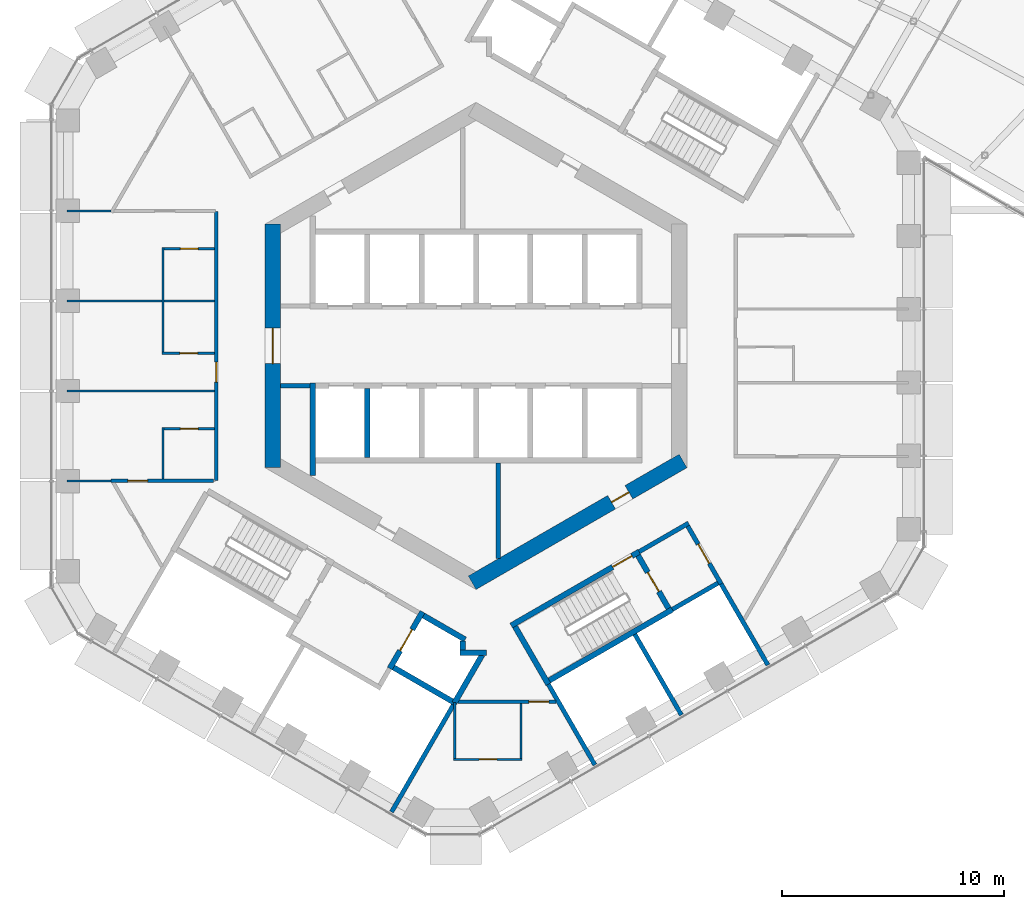
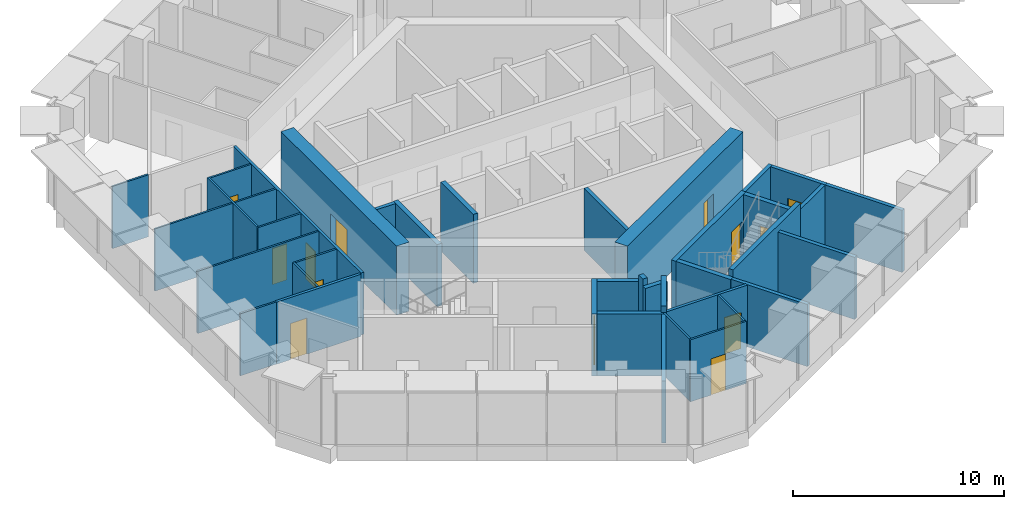
# One storey, part 19 of 28: 38 walls, 13 doors, 13 openings.
"""IFC4 building model written with IfcOpenShell, lengths in metres."""

from ifc_helpers import new_model, si_unit, direction, frame, frame_2d, origin, place, context, subcontext, project, spatial, rectangle, extrude, material, layer, layer_set, type_object, element, fill, save


model = new_model("IFC4")

# Units and contexts
model_context = context("Model", 3, precision=1e-05, world=origin(), true_north=direction((0.0, 1.0)))
body_context = subcontext(model_context, "Body", "Model", "MODEL_VIEW")
ifc_project = project(units=[si_unit("LENGTHUNIT", "METRE"), si_unit("AREAUNIT", "SQUARE_METRE"), si_unit("VOLUMEUNIT", "CUBIC_METRE"), si_unit("PLANEANGLEUNIT", "RADIAN"), si_unit("MASSUNIT", "GRAM", prefix="KILO")], contexts=[model_context])

# Site, building, storey
site_placement = place(None, origin())
site = spatial("IfcSite", under=ifc_project, at=site_placement, CompositionType="ELEMENT")
building_placement = place(site_placement, origin())
building = spatial("IfcBuilding", under=site, at=building_placement, Name="Ayvan Gate Tower", CompositionType="ELEMENT")
storey_placement = place(building_placement, frame((0.0, 0.0, 143.89990234375)))
storey = spatial("IfcBuildingStorey", under=building, at=storey_placement, Name="L38", CompositionType="ELEMENT", Elevation=143.89990234375)

# Wall, opening, door
ifc_material_1 = material(Name="Concrete C70/85", Category="concrete")
ifc_layer_1 = layer(ifc_material_1, 0.699951171875)
ifc_layer_set_1 = layer_set([ifc_layer_1], Name="Concrete C70/85")
wall_type_1 = type_object("IfcWallType", Name="Core wall 700 C70/85", PredefinedType="SHEAR", material=ifc_layer_set_1)
wall_1_placement = place(storey_placement, frame((-9.14990234375, 5.48486328125, 0.0), z_axis=(0.0, 0.0, 1.0), x_axis=(0.0, -1.0, 0.0)))
wall_1 = element("IfcWall", 1, at=wall_1_placement, inside=storey, type_object=wall_type_1, Name="CORE-L38-3", PredefinedType="SHEAR", context=body_context, shape_type="SweptSolid", body=[
    extrude(rectangle(XDim=10.9697265625, YDim=0.699951171875, at=frame_2d((5.48486328125, 0.0))), origin(), (0.0, 0.0, 1.0), 4.0),
])
opening_1_placement = place(wall_1_placement, frame((4.684814453125, 0.0, 0.0)))
opening_1 = element("IfcOpeningElement", 2, at=opening_1_placement, cuts=wall_1, Name="Opening L38-D56", PredefinedType="OPENING", context=body_context, shape_type="SweptSolid", body=[
    extrude(rectangle(XDim=1.60009765625, YDim=2.10009765625, at=frame_2d((0.800048828125, 1.050048828125))), frame((0.0, 0.35986328125, 0.0), z_axis=(0.0, -1.0, 0.0), x_axis=(1.0, 0.0, 0.0)), (0.0, 0.0, 1.0), 0.719970703125),
])
ifc_material_2 = material(Name="Timber door leaf", Category="wood")
door_type_1 = type_object("IfcDoorType", Name="DT-1600", OperationType="NOTDEFINED", PredefinedType="DOOR", material=ifc_material_2)
door_1_placement = place(opening_1_placement, origin())
door_1 = element("IfcDoor", 3, at=door_1_placement, inside=storey, type_object=door_type_1, Name="CD-L38-56", OperationType="SINGLE_SWING_RIGHT", OverallHeight=2.10009765625, OverallWidth=1.60009765625, PredefinedType="DOOR", context=body_context, shape_type="SweptSolid", body=[
    extrude(rectangle(XDim=1.60009765625, YDim=2.10009765625, at=frame_2d((0.800048828125, 1.050048828125))), frame((0.0, 0.02490234375, 0.0), z_axis=(0.0, -1.0, 0.0), x_axis=(1.0, 0.0, 0.0)), (0.0, 0.0, 1.0), 0.050048828125),
])
fill(opening_1, door_1)

wall_2_placement = place(storey_placement, frame((-0.175048828125, -10.66650390625, 0.0), z_axis=(0.0, 0.0, 1.0), x_axis=(0.866023993627, 0.500002442456, 0.0)))
wall_2 = element("IfcWall", 4, at=wall_2_placement, inside=storey, type_object=wall_type_1, Name="CORE-L38-5", PredefinedType="SHEAR", context=body_context, shape_type="SweptSolid", body=[
    extrude(rectangle(XDim=10.9697265625, YDim=0.699951171875, at=frame_2d((5.48486328125, 0.0))), origin(), (0.0, 0.0, 1.0), 4.0),
])
opening_2_placement = place(wall_2_placement, frame((7.25244140625, 0.0, 0.0)))
opening_2 = element("IfcOpeningElement", 5, at=opening_2_placement, cuts=wall_2, Name="Opening L38-D54", PredefinedType="OPENING", context=body_context, shape_type="SweptSolid", body=[
    extrude(rectangle(XDim=0.89990234375, YDim=2.10009765625, at=frame_2d((0.449951171875, 1.050048828125))), frame((0.0, 0.35986328125, 0.0), z_axis=(0.0, -1.0, 0.0), x_axis=(1.0, 0.0, 0.0)), (0.0, 0.0, 1.0), 0.719970703125),
])
door_type_2 = type_object("IfcDoorType", Name="DT-900", OperationType="NOTDEFINED", PredefinedType="DOOR", material=ifc_material_2)
door_2_placement = place(opening_2_placement, origin())
door_2 = element("IfcDoor", 6, at=door_2_placement, inside=storey, type_object=door_type_2, Name="CD-L38-54", OperationType="SINGLE_SWING_RIGHT", OverallHeight=2.10009765625, OverallWidth=0.89990234375, PredefinedType="DOOR", context=body_context, shape_type="SweptSolid", body=[
    extrude(rectangle(XDim=0.89990234375, YDim=2.10009765625, at=frame_2d((0.449951171875, 1.050048828125))), frame((0.0, 0.02490234375, 0.0), z_axis=(0.0, -1.0, 0.0), x_axis=(1.0, 0.0, 0.0)), (0.0, 0.0, 1.0), 0.050048828125),
])
fill(opening_2, door_2)

ifc_material_3 = material(Name="Plasterboard on steel stud", Category="steel")
ifc_layer_2 = layer(ifc_material_3, 0.14990234375)
ifc_layer_set_2 = layer_set([ifc_layer_2], Name="Plasterboard on steel stud")
wall_type_2 = type_object("IfcWallType", Name="WT-CORR-150", PredefinedType="PARTITIONING", material=ifc_layer_set_2)
wall_3_placement = place(storey_placement, frame((-16.453125, -6.078369140625, 0.0), z_axis=(0.0, 0.0, 1.0), x_axis=(1.0, 0.0, 0.0)))
wall_3 = element("IfcWall", 7, at=wall_3_placement, inside=storey, type_object=wall_type_2, Name="IW-L38-003", PredefinedType="PARTITIONING", context=body_context, shape_type="SweptSolid", body=[
    extrude(rectangle(XDim=4.6298828125, YDim=0.14990234375, at=frame_2d((2.31494140625, 0.0))), origin(), (0.0, 0.0, 1.0), 3.60009765625),
])
opening_3_placement = place(wall_3_placement, frame((0.766357421875, 0.0, 0.0)))
opening_3 = element("IfcOpeningElement", 8, at=opening_3_placement, cuts=wall_3, Name="Opening L38-D32", PredefinedType="OPENING", context=body_context, shape_type="SweptSolid", body=[
    extrude(rectangle(XDim=0.89990234375, YDim=2.10009765625, at=frame_2d((0.449951171875, 1.050048828125))), frame((0.0, 0.0849609375, 0.0), z_axis=(0.0, -1.0, 0.0), x_axis=(1.0, 0.0, 0.0)), (0.0, 0.0, 1.0), 0.169921875),
])
door_3_placement = place(opening_3_placement, origin())
door_3 = element("IfcDoor", 9, at=door_3_placement, inside=storey, type_object=door_type_2, Name="ID-L38-032", OperationType="SINGLE_SWING_RIGHT", OverallHeight=2.10009765625, OverallWidth=0.89990234375, PredefinedType="DOOR", context=body_context, shape_type="SweptSolid", body=[
    extrude(rectangle(XDim=0.89990234375, YDim=2.10009765625, at=frame_2d((0.449951171875, 1.050048828125))), frame((0.0, 0.02490234375, 0.0), z_axis=(0.0, -1.0, 0.0), x_axis=(1.0, 0.0, 0.0)), (0.0, 0.0, 1.0), 0.050048828125),
])
fill(opening_3, door_3)

wall_4_placement = place(storey_placement, frame((-11.699951171875, 6.062255859375, 0.0), z_axis=(0.0, 0.0, 1.0), x_axis=(0.0, -1.0, 0.0)))
wall_4 = element("IfcWall", 10, at=wall_4_placement, inside=storey, type_object=wall_type_2, Name="IW-L38-017", PredefinedType="PARTITIONING", context=body_context, shape_type="SweptSolid", body=[
    extrude(rectangle(XDim=12.12451171875, YDim=0.14990234375, at=frame_2d((6.062255859375, 0.0))), origin(), (0.0, 0.0, 1.0), 3.60009765625),
])
opening_4_placement = place(wall_4_placement, frame((6.788330078125, 0.0, 0.0)))
opening_4 = element("IfcOpeningElement", 11, at=opening_4_placement, cuts=wall_4, Name="Opening L38-D30", PredefinedType="OPENING", context=body_context, shape_type="SweptSolid", body=[
    extrude(rectangle(XDim=0.89990234375, YDim=2.10009765625, at=frame_2d((0.449951171875, 1.050048828125))), frame((0.0, 0.0849609375, 0.0), z_axis=(0.0, -1.0, 0.0), x_axis=(1.0, 0.0, 0.0)), (0.0, 0.0, 1.0), 0.169921875),
])
door_4_placement = place(opening_4_placement, origin())
door_4 = element("IfcDoor", 12, at=door_4_placement, inside=storey, type_object=door_type_2, Name="ID-L38-030", OperationType="SINGLE_SWING_RIGHT", OverallHeight=2.10009765625, OverallWidth=0.89990234375, PredefinedType="DOOR", context=body_context, shape_type="SweptSolid", body=[
    extrude(rectangle(XDim=0.89990234375, YDim=2.10009765625, at=frame_2d((0.449951171875, 1.050048828125))), frame((0.0, 0.02490234375, 0.0), z_axis=(0.0, -1.0, 0.0), x_axis=(1.0, 0.0, 0.0)), (0.0, 0.0, 1.0), 0.050048828125),
])
fill(opening_4, door_4)

wall_5_placement = place(storey_placement, frame((-0.81201171875, -16.023193359375, 0.0), z_axis=(0.0, 0.0, 1.0), x_axis=(1.0, 0.0, 0.0)))
wall_5 = element("IfcWall", 13, at=wall_5_placement, inside=storey, type_object=wall_type_2, Name="IW-L38-072", PredefinedType="PARTITIONING", context=body_context, shape_type="SweptSolid", body=[
    extrude(rectangle(XDim=4.42041015625, YDim=0.14990234375, at=frame_2d((2.210205078125, 0.0))), origin(), (0.0, 0.0, 1.0), 3.60009765625),
])
opening_5_placement = place(wall_5_placement, frame((3.194091796875, 0.0, 0.0)))
opening_5 = element("IfcOpeningElement", 14, at=opening_5_placement, cuts=wall_5, Name="Opening L38-D35", PredefinedType="OPENING", context=body_context, shape_type="SweptSolid", body=[
    extrude(rectangle(XDim=0.89990234375, YDim=2.10009765625, at=frame_2d((0.449951171875, 1.050048828125))), frame((0.0, 0.0849609375, 0.0), z_axis=(0.0, -1.0, 0.0), x_axis=(1.0, 0.0, 0.0)), (0.0, 0.0, 1.0), 0.169921875),
])
door_5_placement = place(opening_5_placement, origin())
door_5 = element("IfcDoor", 15, at=door_5_placement, inside=storey, type_object=door_type_2, Name="ID-L38-035", OperationType="SINGLE_SWING_LEFT", OverallHeight=2.10009765625, OverallWidth=0.89990234375, PredefinedType="DOOR", context=body_context, shape_type="SweptSolid", body=[
    extrude(rectangle(XDim=0.89990234375, YDim=2.10009765625, at=frame_2d((0.449951171875, 1.050048828125))), frame((0.0, 0.02490234375, 0.0), z_axis=(0.0, -1.0, 0.0), x_axis=(1.0, 0.0, 0.0)), (0.0, 0.0, 1.0), 0.050048828125),
])
fill(opening_5, door_5)

# Walls
ifc_layer_3 = layer(ifc_material_3, 0.10009765625)
ifc_layer_set_3 = layer_set([ifc_layer_3], Name="Plasterboard on steel stud")
wall_type_3 = type_object("IfcWallType", Name="WT-PART-100", PredefinedType="PARTITIONING", material=ifc_layer_set_3)
for number, where, z_axis, x_axis, name in (
    (16, (-16.453125, 6.078369140625, 0.0), (0.0, 0.0, 1.0), (-1.0, 0.0, 0.0), "IW-L38-000"),
    (17, (-16.453125, -6.078369140625, 0.0), (0.0, 0.0, 1.0), (-1.0, 0.0, 0.0), "IW-L38-002"),
):
    element("IfcWall", number, at=place(storey_placement, frame(where, z_axis=z_axis, x_axis=x_axis)), inside=storey, type_object=wall_type_3, Name=name, PredefinedType="PARTITIONING", context=body_context, shape_type="SweptSolid", body=[
        extrude(rectangle(XDim=1.97119140625, YDim=0.10009765625, at=frame_2d((0.985595703125, 0.0))), origin(), (0.0, 0.0, 1.0), 3.60009765625),
    ])

# Wall, opening, door
wall_6_placement = place(storey_placement, frame((-14.14990234375, -0.326171875, 0.0), z_axis=(0.0, 0.0, 1.0), x_axis=(1.0, 0.0, 0.0)))
wall_6 = element("IfcWall", 18, at=wall_6_placement, inside=storey, type_object=wall_type_3, Name="IW-L38-006", PredefinedType="PARTITIONING", context=body_context, shape_type="SweptSolid", body=[
    extrude(rectangle(XDim=2.375, YDim=0.10009765625, at=frame_2d((1.1875, 0.0))), origin(), (0.0, 0.0, 1.0), 3.60009765625),
])
opening_6_placement = place(wall_6_placement, frame((0.8125, 0.0, 0.0)))
opening_6 = element("IfcOpeningElement", 19, at=opening_6_placement, cuts=wall_6, Name="Opening L38-D31", PredefinedType="OPENING", context=body_context, shape_type="SweptSolid", body=[
    extrude(rectangle(XDim=0.800048828125, YDim=2.10009765625, at=frame_2d((0.39990234375, 1.050048828125))), frame((0.0, 0.06005859375, 0.0), z_axis=(0.0, -1.0, 0.0), x_axis=(1.0, 0.0, 0.0)), (0.0, 0.0, 1.0), 0.1201171875),
])
door_type_3 = type_object("IfcDoorType", Name="DT-800", OperationType="NOTDEFINED", PredefinedType="DOOR", material=ifc_material_2)
door_6_placement = place(opening_6_placement, origin())
door_6 = element("IfcDoor", 20, at=door_6_placement, inside=storey, type_object=door_type_3, Name="ID-L38-031", OperationType="SINGLE_SWING_LEFT", OverallHeight=2.10009765625, OverallWidth=0.800048828125, PredefinedType="DOOR", context=body_context, shape_type="SweptSolid", body=[
    extrude(rectangle(XDim=0.800048828125, YDim=2.10009765625, at=frame_2d((0.39990234375, 1.050048828125))), frame((0.0, 0.02490234375, 0.0), z_axis=(0.0, -1.0, 0.0), x_axis=(1.0, 0.0, 0.0)), (0.0, 0.0, 1.0), 0.050048828125),
])
fill(opening_6, door_6)

# Walls
wall_7_placement = place(storey_placement, frame((-14.10009765625, -0.276123046875, 0.0), z_axis=(0.0, 0.0, 1.0), x_axis=(0.0, 1.0, 0.0)))
element("IfcWall", 21, at=wall_7_placement, inside=storey, type_object=wall_type_3, Name="IW-L38-007", PredefinedType="PARTITIONING", context=body_context, shape_type="SweptSolid", body=[
    extrude(rectangle(XDim=4.70458984375, YDim=0.10009765625, at=frame_2d((2.352294921875, 0.0))), origin(), (0.0, 0.0, 1.0), 3.60009765625),
])
wall_8_placement = place(storey_placement, frame((-18.42431640625, 2.026123046875, 0.0), z_axis=(0.0, 0.0, 1.0), x_axis=(1.0, 0.0, 0.0)))
element("IfcWall", 22, at=wall_8_placement, inside=storey, type_object=wall_type_3, Name="IW-L38-008", PredefinedType="PARTITIONING", context=body_context, shape_type="SweptSolid", body=[
    extrude(rectangle(XDim=6.6494140625, YDim=0.10009765625, at=frame_2d((3.32470703125, 0.0))), origin(), (0.0, 0.0, 1.0), 3.60009765625),
])
wall_9_placement = place(storey_placement, frame((-14.10009765625, -3.676025390625, 0.0), z_axis=(0.0, 0.0, 1.0), x_axis=(0.0, -1.0, 0.0)))
element("IfcWall", 23, at=wall_9_placement, inside=storey, type_object=wall_type_3, Name="IW-L38-009", PredefinedType="PARTITIONING", context=body_context, shape_type="SweptSolid", body=[
    extrude(rectangle(XDim=2.327392578125, YDim=0.10009765625, at=frame_2d((1.16357421875, 0.0))), origin(), (0.0, 0.0, 1.0), 3.60009765625),
])

# Wall, opening, door
wall_10_placement = place(storey_placement, frame((-11.77490234375, -3.72607421875, 0.0), z_axis=(0.0, 0.0, 1.0), x_axis=(-1.0, 0.0, 0.0)))
wall_10 = element("IfcWall", 24, at=wall_10_placement, inside=storey, type_object=wall_type_3, Name="IW-L38-015", PredefinedType="PARTITIONING", context=body_context, shape_type="SweptSolid", body=[
    extrude(rectangle(XDim=2.275146484375, YDim=0.10009765625, at=frame_2d((1.1376953125, 0.0))), origin(), (0.0, 0.0, 1.0), 3.60009765625),
])
opening_7_placement = place(wall_10_placement, frame((0.737548828125, 0.0, 0.0)))
opening_7 = element("IfcOpeningElement", 25, at=opening_7_placement, cuts=wall_10, Name="Opening L38-D33", PredefinedType="OPENING", context=body_context, shape_type="SweptSolid", body=[
    extrude(rectangle(XDim=0.800048828125, YDim=2.10009765625, at=frame_2d((0.39990234375, 1.050048828125))), frame((0.0, 0.06005859375, 0.0), z_axis=(0.0, -1.0, 0.0), x_axis=(1.0, 0.0, 0.0)), (0.0, 0.0, 1.0), 0.1201171875),
])
door_7_placement = place(opening_7_placement, origin())
door_7 = element("IfcDoor", 26, at=door_7_placement, inside=storey, type_object=door_type_3, Name="ID-L38-033", OperationType="SINGLE_SWING_LEFT", OverallHeight=2.10009765625, OverallWidth=0.800048828125, PredefinedType="DOOR", context=body_context, shape_type="SweptSolid", body=[
    extrude(rectangle(XDim=0.800048828125, YDim=2.10009765625, at=frame_2d((0.39990234375, 1.050048828125))), frame((0.0, 0.02490234375, 0.0), z_axis=(0.0, -1.0, 0.0), x_axis=(1.0, 0.0, 0.0)), (0.0, 0.0, 1.0), 0.050048828125),
])
fill(opening_7, door_7)

# Wall
wall_11_placement = place(storey_placement, frame((-11.77490234375, -2.026123046875, 0.0), z_axis=(0.0, 0.0, 1.0), x_axis=(-1.0, 0.0, 0.0)))
element("IfcWall", 27, at=wall_11_placement, inside=storey, type_object=wall_type_3, Name="IW-L38-016", PredefinedType="PARTITIONING", context=body_context, shape_type="SweptSolid", body=[
    extrude(rectangle(XDim=6.6494140625, YDim=0.10009765625, at=frame_2d((3.32470703125, 0.0))), origin(), (0.0, 0.0, 1.0), 3.60009765625),
])

# Wall, opening, door
wall_12_placement = place(storey_placement, frame((-11.77490234375, 4.37841796875, 0.0), z_axis=(0.0, 0.0, 1.0), x_axis=(-1.0, 0.0, 0.0)))
wall_12 = element("IfcWall", 28, at=wall_12_placement, inside=storey, type_object=wall_type_3, Name="IW-L38-018", PredefinedType="PARTITIONING", context=body_context, shape_type="SweptSolid", body=[
    extrude(rectangle(XDim=2.275146484375, YDim=0.10009765625, at=frame_2d((1.1376953125, 0.0))), origin(), (0.0, 0.0, 1.0), 3.60009765625),
])
opening_8_placement = place(wall_12_placement, frame((0.737548828125, 0.0, 0.0)))
opening_8 = element("IfcOpeningElement", 29, at=opening_8_placement, cuts=wall_12, Name="Opening L38-D29", PredefinedType="OPENING", context=body_context, shape_type="SweptSolid", body=[
    extrude(rectangle(XDim=0.800048828125, YDim=2.10009765625, at=frame_2d((0.39990234375, 1.050048828125))), frame((0.0, 0.06005859375, 0.0), z_axis=(0.0, -1.0, 0.0), x_axis=(1.0, 0.0, 0.0)), (0.0, 0.0, 1.0), 0.1201171875),
])
door_8_placement = place(opening_8_placement, origin())
door_8 = element("IfcDoor", 30, at=door_8_placement, inside=storey, type_object=door_type_3, Name="ID-L38-029", OperationType="SINGLE_SWING_LEFT", OverallHeight=2.10009765625, OverallWidth=0.800048828125, PredefinedType="DOOR", context=body_context, shape_type="SweptSolid", body=[
    extrude(rectangle(XDim=0.800048828125, YDim=2.10009765625, at=frame_2d((0.39990234375, 1.050048828125))), frame((0.0, 0.02490234375, 0.0), z_axis=(0.0, -1.0, 0.0), x_axis=(1.0, 0.0, 0.0)), (0.0, 0.0, 1.0), 0.050048828125),
])
fill(opening_8, door_8)

wall_13_placement = place(storey_placement, frame((-1.00439453125, -18.623291015625, 0.0), z_axis=(0.0, 0.0, 1.0), x_axis=(1.0, 0.0, 0.0)))
wall_13 = element("IfcWall", 31, at=wall_13_placement, inside=storey, type_object=wall_type_3, Name="IW-L38-056", PredefinedType="PARTITIONING", context=body_context, shape_type="SweptSolid", body=[
    extrude(rectangle(XDim=3.080078125, YDim=0.10009765625, at=frame_2d((1.5400390625, 0.0))), origin(), (0.0, 0.0, 1.0), 3.60009765625),
])
opening_9_placement = place(wall_13_placement, frame((1.14013671875, 0.0, 0.0)))
opening_9 = element("IfcOpeningElement", 32, at=opening_9_placement, cuts=wall_13, Name="Opening L38-D36", PredefinedType="OPENING", context=body_context, shape_type="SweptSolid", body=[
    extrude(rectangle(XDim=0.800048828125, YDim=2.10009765625, at=frame_2d((0.39990234375, 1.050048828125))), frame((0.0, 0.06005859375, 0.0), z_axis=(0.0, -1.0, 0.0), x_axis=(1.0, 0.0, 0.0)), (0.0, 0.0, 1.0), 0.1201171875),
])
door_9_placement = place(opening_9_placement, origin())
door_9 = element("IfcDoor", 33, at=door_9_placement, inside=storey, type_object=door_type_3, Name="ID-L38-036", OperationType="SINGLE_SWING_RIGHT", OverallHeight=2.10009765625, OverallWidth=0.800048828125, PredefinedType="DOOR", context=body_context, shape_type="SweptSolid", body=[
    extrude(rectangle(XDim=0.800048828125, YDim=2.10009765625, at=frame_2d((0.39990234375, 1.050048828125))), frame((0.0, 0.02490234375, 0.0), z_axis=(0.0, -1.0, 0.0), x_axis=(1.0, 0.0, 0.0)), (0.0, 0.0, 1.0), 0.050048828125),
])
fill(opening_9, door_9)

# Walls
wall_14_placement = place(storey_placement, frame((-0.95458984375, -16.05322265625, 0.0), z_axis=(0.0, 0.0, 1.0), x_axis=(0.0, -1.0, 0.0)))
element("IfcWall", 34, at=wall_14_placement, inside=storey, type_object=wall_type_3, Name="IW-L38-057", PredefinedType="PARTITIONING", context=body_context, shape_type="SweptSolid", body=[
    extrude(rectangle(XDim=2.52001953125, YDim=0.10009765625, at=frame_2d((1.260009765625, 0.0))), origin(), (0.0, 0.0, 1.0), 3.60009765625),
])
wall_15_placement = place(storey_placement, frame((2.025634765625, -18.5732421875, 0.0), z_axis=(0.0, 0.0, 1.0), x_axis=(0.0, 1.0, 0.0)))
element("IfcWall", 35, at=wall_15_placement, inside=storey, type_object=wall_type_3, Name="IW-L38-071", PredefinedType="PARTITIONING", context=body_context, shape_type="SweptSolid", body=[
    extrude(rectangle(XDim=2.47509765625, YDim=0.10009765625, at=frame_2d((1.237548828125, 0.0))), origin(), (0.0, 0.0, 1.0), 3.60009765625),
])
ifc_layer_4 = layer(ifc_material_3, 0.199951171875)
ifc_layer_set_4 = layer_set([ifc_layer_4], Name="Plasterboard on steel stud")
wall_type_4 = type_object("IfcWallType", Name="WT-PLUMB-200", PredefinedType="PLUMBINGWALL", material=ifc_layer_set_4)
wall_16_placement = place(storey_placement, frame((-1.027099609375, -16.178955078125, 0.0), z_axis=(0.0, 0.0, 1.0), x_axis=(-0.499995019066, -0.866028279509, 0.0)))
element("IfcWall", 36, at=wall_16_placement, inside=storey, type_object=wall_type_4, Name="IW-L38-055", PredefinedType="PLUMBINGWALL", context=body_context, shape_type="SweptSolid", body=[
    extrude(rectangle(XDim=5.556640625, YDim=0.199951171875, at=frame_2d((2.7783203125, 0.0))), origin(), (0.0, 0.0, 1.0), 3.60009765625),
])
for number, where, z_axis, x_axis, name in (
    (37, (3.255615234375, -15.23876953125, 0.0), (0.0, 0.0, 1.0), (0.499994469932, -0.866028596547, 0.0), "IW-L38-079"),
    (38, (7.152587890625, -12.98876953125, 0.0), (0.0, 0.0, 1.0), (0.499994469932, -0.866028596547, 0.0), "IW-L38-086"),
):
    element("IfcWall", number, at=place(storey_placement, frame(where, z_axis=z_axis, x_axis=x_axis)), inside=storey, type_object=wall_type_4, Name=name, PredefinedType="PLUMBINGWALL", context=body_context, shape_type="SweptSolid", body=[
        extrude(rectangle(XDim=4.1953125, YDim=0.199951171875, at=frame_2d((2.09765625, 0.0))), origin(), (0.0, 0.0, 1.0), 3.60009765625),
    ])
wall_17_placement = place(storey_placement, frame((10.900634765625, -10.6806640625, 0.0), z_axis=(0.0, 0.0, 1.0), x_axis=(-0.866007538022, -0.500030943131, 0.0)))
element("IfcWall", 39, at=wall_17_placement, inside=storey, type_object=wall_type_4, Name="IW-L38-098", PredefinedType="PLUMBINGWALL", context=body_context, shape_type="SweptSolid", body=[
    extrude(rectangle(XDim=2.374755859375, YDim=0.199951171875, at=frame_2d((1.1875, 0.0))), origin(), (0.0, 0.0, 1.0), 3.60009765625),
])
wall_18_placement = place(storey_placement, frame((11.037353515625, -10.71728515625, 0.0), z_axis=(0.0, 0.0, 1.0), x_axis=(0.500002884005, -0.866023738697, 0.0)))
element("IfcWall", 40, at=wall_18_placement, inside=storey, type_object=wall_type_4, Name="IW-L38-099", PredefinedType="PLUMBINGWALL", context=body_context, shape_type="SweptSolid", body=[
    extrude(rectangle(XDim=4.22021484375, YDim=0.199951171875, at=frame_2d((2.110107421875, 0.0))), origin(), (0.0, 0.0, 1.0), 3.60009765625),
])
ifc_layer_5 = layer(ifc_material_3, 0.199951171875)
ifc_layer_set_5 = layer_set([ifc_layer_5], Name="Plasterboard on steel stud")
wall_type_5 = type_object("IfcWallType", Name="WT-RATED-200", PredefinedType="PARTITIONING", material=ifc_layer_set_5)
wall_19_placement = place(storey_placement, frame((-7.474853515625, -1.800048828125, 0.0), z_axis=(0.0, 0.0, 1.0), x_axis=(-1.0, 0.0, 0.0)))
element("IfcWall", 41, at=wall_19_placement, inside=storey, type_object=wall_type_5, Name="IW-L38-032", PredefinedType="PARTITIONING", context=body_context, shape_type="SweptSolid", body=[
    extrude(rectangle(XDim=1.3251953125, YDim=0.199951171875, at=frame_2d((0.66259765625, 0.0))), origin(), (0.0, 0.0, 1.0), 3.60009765625),
])
wall_20_placement = place(storey_placement, frame((1.0, -5.27490234375, 0.0), z_axis=(0.0, 0.0, 1.0), x_axis=(0.0, -1.0, 0.0)))
element("IfcWall", 42, at=wall_20_placement, inside=storey, type_object=wall_type_5, Name="IW-L38-069", PredefinedType="PARTITIONING", context=body_context, shape_type="SweptSolid", body=[
    extrude(rectangle(XDim=4.30908203125, YDim=0.199951171875, at=frame_2d((2.154541015625, 0.0))), origin(), (0.0, 0.0, 1.0), 3.60009765625),
])
wall_21_placement = place(storey_placement, frame((7.343994140625, -9.27001953125, 0.0), z_axis=(0.0, 0.0, 1.0), x_axis=(0.866005588531, 0.500034319456, 0.0)))
element("IfcWall", 43, at=wall_21_placement, inside=storey, type_object=wall_type_5, Name="IW-L38-089", PredefinedType="PARTITIONING", context=body_context, shape_type="SweptSolid", body=[
    extrude(rectangle(XDim=2.574951171875, YDim=0.199951171875, at=frame_2d((1.28759765625, 0.0))), origin(), (0.0, 0.0, 1.0), 3.60009765625),
])

# Wall, opening, door
wall_22_placement = place(storey_placement, frame((9.537353515625, -8.119140625, 0.0), z_axis=(0.0, 0.0, 1.0), x_axis=(0.499990139034, -0.866031096941, 0.0)))
wall_22 = element("IfcWall", 44, at=wall_22_placement, inside=storey, type_object=wall_type_5, Name="IW-L38-097", PredefinedType="PARTITIONING", context=body_context, shape_type="SweptSolid", body=[
    extrude(rectangle(XDim=3.0, YDim=0.199951171875, at=frame_2d((1.5, 0.0))), origin(), (0.0, 0.0, 1.0), 3.60009765625),
])
opening_10_placement = place(wall_22_placement, frame((0.93505859375, 0.0, 0.0)))
opening_10 = element("IfcOpeningElement", 45, at=opening_10_placement, cuts=wall_22, Name="Opening L38-D21", PredefinedType="OPENING", context=body_context, shape_type="SweptSolid", body=[
    extrude(rectangle(XDim=1.0, YDim=2.10009765625, at=frame_2d((0.5, 1.050048828125))), frame((0.0, 0.10986328125, 0.0), z_axis=(0.0, -1.0, 0.0), x_axis=(1.0, 0.0, 0.0)), (0.0, 0.0, 1.0), 0.219970703125),
])
door_type_4 = type_object("IfcDoorType", Name="DT-1000", OperationType="NOTDEFINED", PredefinedType="DOOR", material=ifc_material_2)
door_10_placement = place(opening_10_placement, origin())
door_10 = element("IfcDoor", 46, at=door_10_placement, inside=storey, type_object=door_type_4, Name="ID-L38-021", OperationType="SINGLE_SWING_LEFT", OverallHeight=2.10009765625, OverallWidth=1.0, PredefinedType="DOOR", context=body_context, shape_type="SweptSolid", body=[
    extrude(rectangle(XDim=1.0, YDim=2.10009765625, at=frame_2d((0.5, 1.050048828125))), frame((0.0, 0.02490234375, 0.0), z_axis=(0.0, -1.0, 0.0), x_axis=(1.0, 0.0, 0.0)), (0.0, 0.0, 1.0), 0.050048828125),
])
fill(opening_10, door_10)

# Walls
ifc_material_4 = material(Name="Concrete C50/60", Category="concrete")
ifc_layer_6 = layer(ifc_material_4, 0.25)
ifc_layer_set_6 = layer_set([ifc_layer_6], Name="Concrete C50/60")
wall_type_6 = type_object("IfcWallType", Name="WT-RC-250", PredefinedType="SHEAR", material=ifc_layer_set_6)
wall_23_placement = place(storey_placement, frame((-7.35009765625, -5.845703125, 0.0), z_axis=(0.0, 0.0, 1.0), x_axis=(0.0, 1.0, 0.0)))
element("IfcWall", 47, at=wall_23_placement, inside=storey, type_object=wall_type_6, Name="IW-L38-029", PredefinedType="SHEAR", context=body_context, shape_type="SweptSolid", body=[
    extrude(rectangle(XDim=4.170654296875, YDim=0.25, at=frame_2d((2.08544921875, 0.0))), origin(), (0.0, 0.0, 1.0), 3.60009765625),
])
wall_24_placement = place(storey_placement, frame((-4.89990234375, -1.925048828125, 0.0), z_axis=(0.0, 0.0, 1.0), x_axis=(0.0, -1.0, 0.0)))
element("IfcWall", 48, at=wall_24_placement, inside=storey, type_object=wall_type_6, Name="IW-L38-040", PredefinedType="SHEAR", context=body_context, shape_type="SweptSolid", body=[
    extrude(rectangle(XDim=3.099853515625, YDim=0.25, at=frame_2d((1.5498046875, 0.0))), origin(), (0.0, 0.0, 1.0), 4.0),
])

# Wall, opening, door
wall_25_placement = place(storey_placement, frame((-2.409912109375, -11.97412109375, 0.0), z_axis=(0.0, 0.0, 1.0), x_axis=(-0.500001826776, -0.866024349092, 0.0)))
wall_25 = element("IfcWall", 49, at=wall_25_placement, inside=storey, type_object=wall_type_6, Name="IW-L38-048", PredefinedType="SHEAR", context=body_context, shape_type="SweptSolid", body=[
    extrude(rectangle(XDim=2.9501953125, YDim=0.25, at=frame_2d((1.47509765625, 0.0))), origin(), (0.0, 0.0, 1.0), 3.60009765625),
])
opening_11_placement = place(wall_25_placement, frame((0.925048828125, 0.0, 0.0)))
opening_11 = element("IfcOpeningElement", 50, at=opening_11_placement, cuts=wall_25, Name="Opening L38-LD-FF2", PredefinedType="OPENING", context=body_context, shape_type="SweptSolid", body=[
    extrude(rectangle(XDim=1.10009765625, YDim=2.10009765625, at=frame_2d((0.550048828125, 1.050048828125))), frame((0.0, 0.135009765625, 0.0), z_axis=(0.0, -1.0, 0.0), x_axis=(1.0, 0.0, 0.0)), (0.0, 0.0, 1.0), 0.27001953125),
])
ifc_material_5 = material(Name="Stainless steel landing door", Category="steel")
door_type_5 = type_object("IfcDoorType", Name="DT-LANDING-1100", OperationType="SLIDING_TO_LEFT", PredefinedType="DOOR", material=ifc_material_5)
door_11_placement = place(opening_11_placement, origin())
door_11 = element("IfcDoor", 51, at=door_11_placement, inside=storey, type_object=door_type_5, Name="ID-L38-019", OperationType="SLIDING_TO_LEFT", OverallHeight=2.10009765625, OverallWidth=1.10009765625, PredefinedType="DOOR", context=body_context, shape_type="SweptSolid", body=[
    extrude(rectangle(XDim=1.10009765625, YDim=2.10009765625, at=frame_2d((0.550048828125, 1.050048828125))), frame((0.0, 0.02490234375, 0.0), z_axis=(0.0, -1.0, 0.0), x_axis=(1.0, 0.0, 0.0)), (0.0, 0.0, 1.0), 0.050048828125),
])
fill(opening_11, door_11)

# Walls
wall_26_placement = place(storey_placement, frame((-2.3642578125, -12.14501953125, 0.0), z_axis=(0.0, 0.0, 1.0), x_axis=(0.86603892542, -0.499976579108, 0.0)))
element("IfcWall", 52, at=wall_26_placement, inside=storey, type_object=wall_type_6, Name="IW-L38-049", PredefinedType="SHEAR", context=body_context, shape_type="SweptSolid", body=[
    extrude(rectangle(XDim=2.162109375, YDim=0.25, at=frame_2d((1.0810546875, 0.0))), origin(), (0.0, 0.0, 1.0), 3.60009765625),
])
wall_27_placement = place(storey_placement, frame((-0.8779296875, -16.120849609375, 0.0), z_axis=(0.0, 0.0, 1.0), x_axis=(-0.866027924134, 0.499995634601, 0.0)))
element("IfcWall", 53, at=wall_27_placement, inside=storey, type_object=wall_type_6, Name="IW-L38-054", PredefinedType="SHEAR", context=body_context, shape_type="SweptSolid", body=[
    extrude(rectangle(XDim=3.27490234375, YDim=0.25, at=frame_2d((1.637451171875, 0.0))), origin(), (0.0, 0.0, 1.0), 3.60009765625),
])
wall_28_placement = place(storey_placement, frame((-0.72509765625, -13.81005859375, 0.0), z_axis=(0.0, 0.0, 1.0), x_axis=(1.0, 0.0, 0.0)))
element("IfcWall", 54, at=wall_28_placement, inside=storey, type_object=wall_type_6, Name="IW-L38-058", PredefinedType="SHEAR", context=body_context, shape_type="SweptSolid", body=[
    extrude(rectangle(XDim=1.190673828125, YDim=0.25, at=frame_2d((0.59521484375, 0.0))), origin(), (0.0, 0.0, 1.0), 3.60009765625),
])
wall_29_placement = place(storey_placement, frame((-0.60009765625, -13.28857421875, 0.0), z_axis=(0.0, 0.0, 1.0), x_axis=(0.0, -1.0, 0.0)))
element("IfcWall", 55, at=wall_29_placement, inside=storey, type_object=wall_type_6, Name="IW-L38-059", PredefinedType="SHEAR", context=body_context, shape_type="SweptSolid", body=[
    extrude(rectangle(XDim=0.396484375, YDim=0.25, at=frame_2d((0.1982421875, 0.0))), origin(), (0.0, 0.0, 1.0), 4.0),
])
wall_30_placement = place(storey_placement, frame((0.278076171875, -13.918212890625, 0.0), z_axis=(0.0, 0.0, 1.0), x_axis=(-0.49996424941, -0.866046043413, 0.0)))
element("IfcWall", 56, at=wall_30_placement, inside=storey, type_object=wall_type_6, Name="IW-L38-064", PredefinedType="SHEAR", context=body_context, shape_type="SweptSolid", body=[
    extrude(rectangle(XDim=2.505615234375, YDim=0.25, at=frame_2d((1.2529296875, 0.0))), origin(), (0.0, 0.0, 1.0), 4.0),
])

# Wall, opening, door
wall_31_placement = place(storey_placement, frame((1.584716796875, -12.594970703125, 0.0), z_axis=(0.0, 0.0, 1.0), x_axis=(0.866036417653, 0.499980922934, 0.0)))
wall_31 = element("IfcWall", 57, at=wall_31_placement, inside=storey, type_object=wall_type_6, Name="IW-L38-070", PredefinedType="SHEAR", context=body_context, shape_type="SweptSolid", body=[
    extrude(rectangle(XDim=6.650146484375, YDim=0.25, at=frame_2d((3.3251953125, 0.0))), origin(), (0.0, 0.0, 1.0), 3.60009765625),
])
opening_12_placement = place(wall_31_placement, frame((5.27490234375, 0.0, 0.0)))
opening_12 = element("IfcOpeningElement", 58, at=opening_12_placement, cuts=wall_31, Name="Opening L38-D20", PredefinedType="OPENING", context=body_context, shape_type="SweptSolid", body=[
    extrude(rectangle(XDim=1.0, YDim=2.10009765625, at=frame_2d((0.5, 1.050048828125))), frame((0.0, 0.135009765625, 0.0), z_axis=(0.0, -1.0, 0.0), x_axis=(1.0, 0.0, 0.0)), (0.0, 0.0, 1.0), 0.27001953125),
])
door_12_placement = place(opening_12_placement, origin())
door_12 = element("IfcDoor", 59, at=door_12_placement, inside=storey, type_object=door_type_4, Name="ID-L38-020", OperationType="SINGLE_SWING_RIGHT", OverallHeight=2.10009765625, OverallWidth=1.0, PredefinedType="DOOR", context=body_context, shape_type="SweptSolid", body=[
    extrude(rectangle(XDim=1.0, YDim=2.10009765625, at=frame_2d((0.5, 1.050048828125))), frame((0.0, 0.02490234375, 0.0), z_axis=(0.0, -1.0, 0.0), x_axis=(1.0, 0.0, 0.0)), (0.0, 0.0, 1.0), 0.050048828125),
])
fill(opening_12, door_12)

# Walls
wall_32_placement = place(storey_placement, frame((3.255615234375, -15.23876953125, 0.0), z_axis=(0.0, 0.0, 1.0), x_axis=(-0.50002537861, 0.866010750942, 0.0)))
element("IfcWall", 60, at=wall_32_placement, inside=storey, type_object=wall_type_6, Name="IW-L38-078", PredefinedType="SHEAR", context=body_context, shape_type="SweptSolid", body=[
    extrude(rectangle(XDim=2.999755859375, YDim=0.25, at=frame_2d((1.5, 0.0))), origin(), (0.0, 0.0, 1.0), 3.60009765625),
])
wall_33_placement = place(storey_placement, frame((3.30126953125, -15.068115234375, 0.0), z_axis=(0.0, 0.0, 1.0), x_axis=(0.866035036182, 0.499983315828, 0.0)))
element("IfcWall", 61, at=wall_33_placement, inside=storey, type_object=wall_type_6, Name="IW-L38-087", PredefinedType="SHEAR", context=body_context, shape_type="SweptSolid", body=[
    extrude(rectangle(XDim=6.400146484375, YDim=0.25, at=frame_2d((3.2001953125, 0.0))), origin(), (0.0, 0.0, 1.0), 4.0),
])

# Wall, opening, door
wall_34_placement = place(storey_placement, frame((7.298095703125, -9.44091796875, 0.0), z_axis=(0.0, 0.0, 1.0), x_axis=(0.500034990121, -0.866005201286, 0.0)))
wall_34 = element("IfcWall", 62, at=wall_34_placement, inside=storey, type_object=wall_type_6, Name="IW-L38-088", PredefinedType="SHEAR", context=body_context, shape_type="SweptSolid", body=[
    extrude(rectangle(XDim=2.749755859375, YDim=0.25, at=frame_2d((1.375, 0.0))), origin(), (0.0, 0.0, 1.0), 3.60009765625),
])
opening_13_placement = place(wall_34_placement, frame((0.875, 0.0, 0.0)))
opening_13 = element("IfcOpeningElement", 63, at=opening_13_placement, cuts=wall_34, Name="Opening L38-D22", PredefinedType="OPENING", context=body_context, shape_type="SweptSolid", body=[
    extrude(rectangle(XDim=1.0, YDim=2.10009765625, at=frame_2d((0.5, 1.050048828125))), frame((0.0, 0.135009765625, 0.0), z_axis=(0.0, -1.0, 0.0), x_axis=(1.0, 0.0, 0.0)), (0.0, 0.0, 1.0), 0.27001953125),
])
door_13_placement = place(opening_13_placement, origin())
door_13 = element("IfcDoor", 64, at=door_13_placement, inside=storey, type_object=door_type_4, Name="ID-L38-022", OperationType="SINGLE_SWING_RIGHT", OverallHeight=2.10009765625, OverallWidth=1.0, PredefinedType="DOOR", context=body_context, shape_type="SweptSolid", body=[
    extrude(rectangle(XDim=1.0, YDim=2.10009765625, at=frame_2d((0.5, 1.050048828125))), frame((0.0, 0.02490234375, 0.0), z_axis=(0.0, -1.0, 0.0), x_axis=(1.0, 0.0, 0.0)), (0.0, 0.0, 1.0), 0.050048828125),
])
fill(opening_13, door_13)

save(model, "model.ifc")
